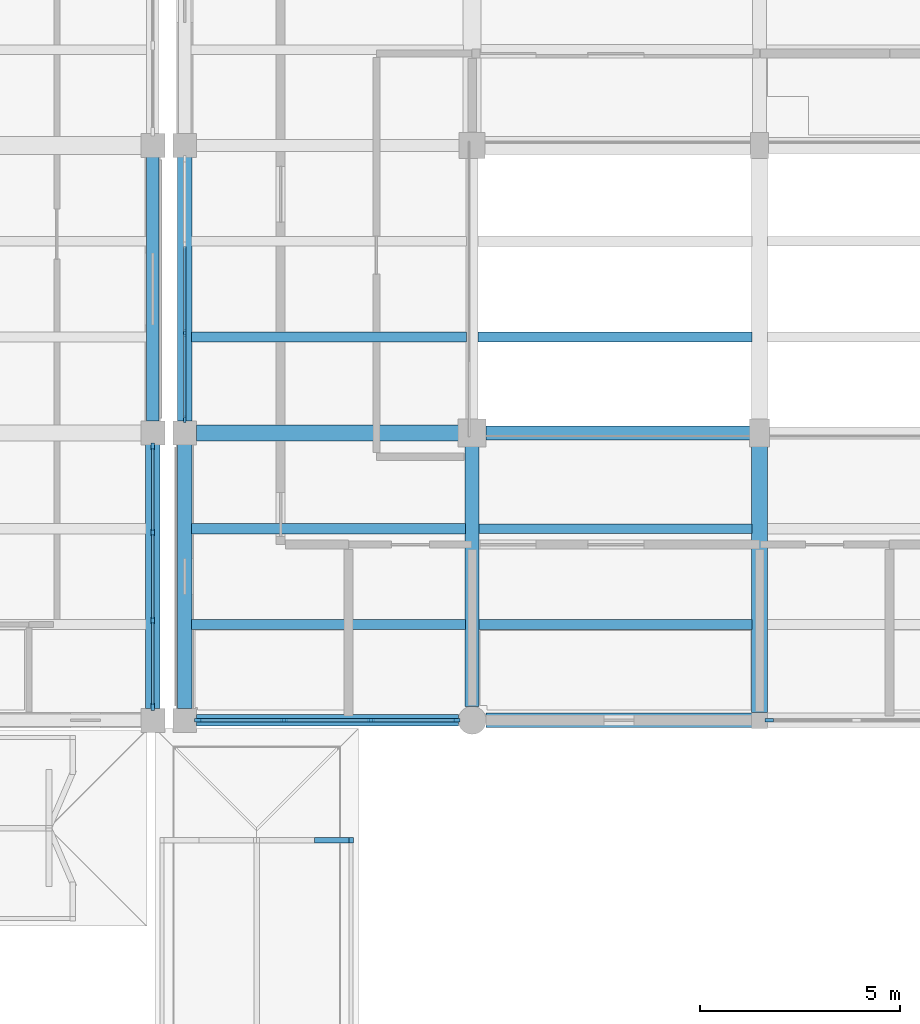
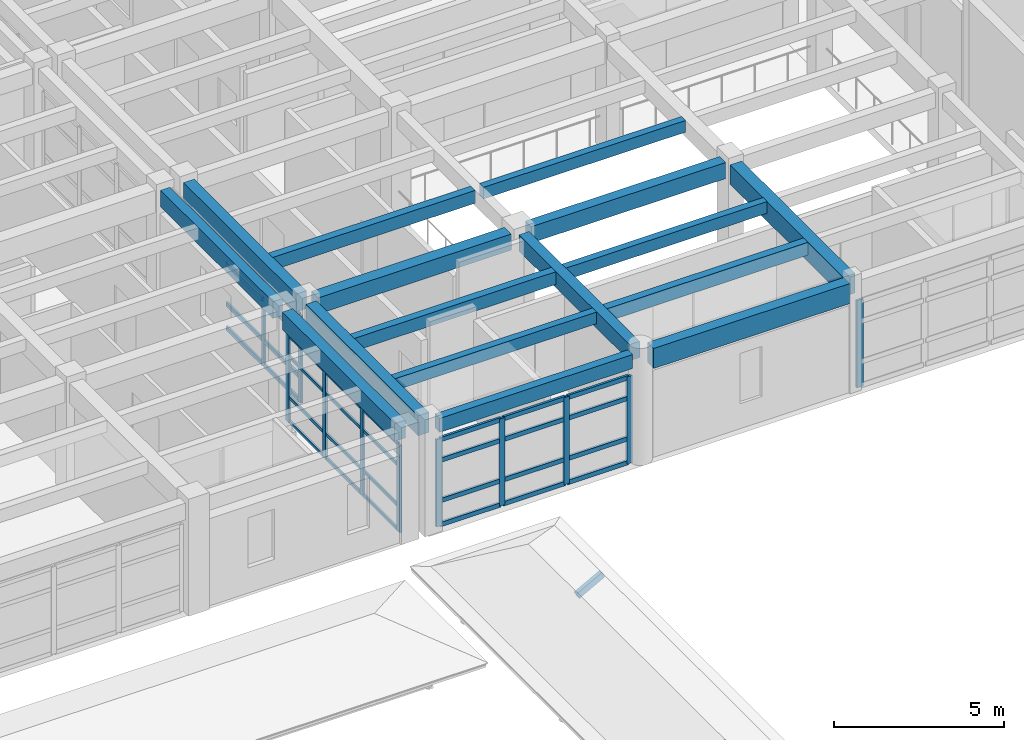
# One storey, part 27 of 110: 44 members, 16 beams, 4 elements without a shape of their own.
"""IFC4 building model written with IfcOpenShell, lengths in metres."""

from ifc_helpers import new_model, si_unit, direction, frame, origin, origin_2d, place, context, subcontext, project, spatial, rectangle, extrude, material, material_profile, profile_set, type_object, element, aggregate, save


model = new_model("IFC4")

# Units and contexts
model_context = context("Model", 3, precision=1e-05, world=origin(), true_north=direction((0.0, 1.0)))
body_context = subcontext(model_context, "Body", "Model", "MODEL_VIEW")
ifc_project = project(units=[si_unit("LENGTHUNIT", "METRE"), si_unit("AREAUNIT", "SQUARE_METRE"), si_unit("VOLUMEUNIT", "CUBIC_METRE"), si_unit("PLANEANGLEUNIT", "RADIAN"), si_unit("MASSUNIT", "GRAM", prefix="KILO")], contexts=[model_context])

# Site, building, storey
site_placement = place(None, origin())
site = spatial("IfcSite", under=ifc_project, at=site_placement, CompositionType="ELEMENT")
building_placement = place(site_placement, origin())
building = spatial("IfcBuilding", under=site, at=building_placement, Name="Steenspoor Specialist Clinic", CompositionType="ELEMENT")
storey_placement = place(building_placement, frame((0.0, 0.0, 4.800048828125)))
storey = spatial("IfcBuildingStorey", under=building, at=storey_placement, Name="L01", CompositionType="ELEMENT", Elevation=4.800048828125)

# Beams
ifc_material_1 = material(Name="Concrete C35/45", Category="concrete")
ifc_material_profile_1 = material_profile(ifc_material_1, rectangle(XDim=0.35009765625, YDim=0.580078125, at=origin_2d()), Name="RC-BM-350X580")
ifc_profile_set_1 = profile_set([ifc_material_profile_1], Name="Concrete C35/45")
beam_type_1 = type_object("IfcBeamType", Name="BM-RC-350X580", PredefinedType="BEAM", material=ifc_profile_set_1)
beam_1_placement = place(storey_placement, frame((125.544921875, 72.35009765625, 3.659912109375), z_axis=(1.0, 0.0, 0.0), x_axis=(0.0, 1.0, 0.0)))
element("IfcBeam", 1, at=beam_1_placement, inside=storey, type_object=beam_type_1, Name="BM-V6-L01-X1485", PredefinedType="BEAM", context=body_context, shape_type="SweptSolid", body=[
    extrude(rectangle(XDim=0.35009765625, YDim=0.580078125, at=origin_2d()), origin(), (0.0, 0.0, 1.0), 6.610107421875),
])
beam_2_placement = place(storey_placement, frame((125.199951171875, 65.4951171875, 3.659912109375), z_axis=(0.0, 1.0, 0.0), x_axis=(-1.0, 0.0, 0.0)))
element("IfcBeam", 2, at=beam_2_placement, inside=storey, type_object=beam_type_1, Name="BM-V6-L01-Y1516", PredefinedType="BEAM", context=body_context, shape_type="SweptSolid", body=[
    extrude(rectangle(XDim=0.35009765625, YDim=0.580078125, at=origin_2d()), origin(), (0.0, 0.0, 1.0), 6.509765625),
])
ifc_material_profile_2 = material_profile(ifc_material_1, rectangle(XDim=0.39990234375, YDim=0.580078125, at=origin_2d()), Name="RC-BM-400X580")
ifc_profile_set_2 = profile_set([ifc_material_profile_2], Name="Concrete C35/45")
beam_type_2 = type_object("IfcBeamType", Name="BM-RC-400X580", PredefinedType="BEAM", material=ifc_profile_set_2)
beam_3_placement = place(storey_placement, frame((118.294921875, 72.35009765625, 3.659912109375), z_axis=(1.0, 0.0, 0.0), x_axis=(0.0, 1.0, 0.0)))
element("IfcBeam", 3, at=beam_3_placement, inside=storey, type_object=beam_type_2, Name="BM-V6-L01-X1484", PredefinedType="BEAM", context=body_context, shape_type="SweptSolid", body=[
    extrude(rectangle(XDim=0.39990234375, YDim=0.580078125, at=origin_2d()), origin(), (0.0, 0.0, 1.0), 6.56005859375),
])
ifc_material_profile_3 = material_profile(ifc_material_1, rectangle(XDim=0.39990234375, YDim=0.699951171875, at=origin_2d()), Name="RC-BM-400X700")
ifc_profile_set_3 = profile_set([ifc_material_profile_3], Name="Concrete C35/45")
beam_type_3 = type_object("IfcBeamType", Name="BM-RC-400X700", PredefinedType="BEAM", material=ifc_profile_set_3)
beam_4_placement = place(storey_placement, frame((132.39990234375, 65.344970703125, 3.599853515625), z_axis=(0.0, 1.0, 0.0), x_axis=(-1.0, 0.0, 0.0)))
element("IfcBeam", 4, at=beam_4_placement, inside=storey, type_object=beam_type_3, Name="BM-V6-L01-Y1522", PredefinedType="BEAM", context=body_context, shape_type="SweptSolid", body=[
    extrude(rectangle(XDim=0.39990234375, YDim=0.699951171875, at=origin_2d()), origin(), (0.0, 0.0, 1.0), 6.659912109375),
])

# Curtain wall, members
ifc_material_2 = material(Name="Thermally broken aluminium and low-emissivity glass", Category="aluminium")
curtain_wall_type_1 = type_object("IfcCurtainWallType", Name="CW-L00-240X415", PredefinedType="USERDEFINED", material=ifc_material_2)
curtain_wall_1_placement = place(storey_placement, origin())
curtain_wall_1 = element("IfcCurtainWall", 5, at=curtain_wall_1_placement, inside=storey, type_object=curtain_wall_type_1, Name="Unitised Curtain Wall CW-V6-L01-176", ObjectType="UNITISED GLAZING", PredefinedType="USERDEFINED")
ifc_material_3 = material(Name="Thermally broken aluminium 6063-T6", Category="aluminium")
ifc_material_profile_4 = material_profile(ifc_material_3, rectangle(XDim=0.070068359375, YDim=0.1650390625, at=origin_2d()), Name="CWM-70X165")
ifc_profile_set_4 = profile_set([ifc_material_profile_4], Name="Thermally broken aluminium 6063-T6")
member_type_1 = type_object("IfcMemberType", Name="CW-MULL-70X165", PredefinedType="MULLION", material=ifc_profile_set_4)
member_1_placement = place(storey_placement, frame((118.0, 72.68505859375, 0.0), z_axis=(0.0, 0.0, 1.0), x_axis=(-1.0, 0.0, 0.0)))
member_1 = element("IfcMember", 6, at=member_1_placement, type_object=member_type_1, Name="CW-08 mullion 1", PredefinedType="MULLION", context=body_context, shape_type="SweptSolid", body=[
    extrude(rectangle(XDim=0.070068359375, YDim=0.1650390625, at=origin_2d()), origin(), (0.0, 0.0, 1.0), 3.1298828125),
])
member_2_placement = place(storey_placement, frame((118.0, 74.85009765625, 0.0), z_axis=(0.0, 0.0, 1.0), x_axis=(-1.0, 0.0, 0.0)))
member_2 = element("IfcMember", 7, at=member_2_placement, type_object=member_type_1, Name="CW-08 mullion 2", PredefinedType="MULLION", context=body_context, shape_type="SweptSolid", body=[
    extrude(rectangle(XDim=0.070068359375, YDim=0.1650390625, at=origin_2d()), origin(), (0.0, 0.0, 1.0), 3.1298828125),
])

curtain_wall_type_2 = type_object("IfcCurtainWallType", Name="CW-HALL-660X820", PredefinedType="USERDEFINED", material=ifc_material_2)
curtain_wall_2_placement = place(storey_placement, origin())
curtain_wall_2 = element("IfcCurtainWall", 8, at=curtain_wall_2_placement, inside=storey, type_object=curtain_wall_type_2, Name="Unitised Curtain Wall CW-V4-L01-073", ObjectType="UNITISED GLAZING", PredefinedType="USERDEFINED")
ifc_material_profile_5 = material_profile(ifc_material_3, rectangle(XDim=0.080078125, YDim=0.179931640625, at=origin_2d()), Name="CWM-80X180")
ifc_profile_set_5 = profile_set([ifc_material_profile_5], Name="Thermally broken aluminium 6063-T6")
member_type_2 = type_object("IfcMemberType", Name="CW-MULL-80X180", PredefinedType="MULLION", material=ifc_profile_set_5)
member_3_placement = place(storey_placement, frame((117.199951171875, 72.010009765625, 0.0), z_axis=(0.0, 0.0, 1.0), x_axis=(1.0, 0.0, 0.0)))
member_3 = element("IfcMember", 9, at=member_3_placement, type_object=member_type_2, Name="CW-01 mullion 1", PredefinedType="MULLION", context=body_context, shape_type="SweptSolid", body=[
    extrude(rectangle(XDim=0.080078125, YDim=0.179931640625, at=origin_2d()), origin(), (0.0, 0.0, 1.0), 3.1298828125),
])
member_4_placement = place(storey_placement, frame((117.199951171875, 69.85009765625, 0.0), z_axis=(0.0, 0.0, 1.0), x_axis=(1.0, 0.0, 0.0)))
member_4 = element("IfcMember", 10, at=member_4_placement, type_object=member_type_2, Name="CW-01 mullion 2", PredefinedType="MULLION", context=body_context, shape_type="SweptSolid", body=[
    extrude(rectangle(XDim=0.080078125, YDim=0.179931640625, at=origin_2d()), origin(), (0.0, 0.0, 1.0), 3.1298828125),
])
member_5_placement = place(storey_placement, frame((117.199951171875, 67.64990234375, 0.0), z_axis=(0.0, 0.0, 1.0), x_axis=(1.0, 0.0, 0.0)))
member_5 = element("IfcMember", 11, at=member_5_placement, type_object=member_type_2, Name="CW-01 mullion 3", PredefinedType="MULLION", context=body_context, shape_type="SweptSolid", body=[
    extrude(rectangle(XDim=0.080078125, YDim=0.179931640625, at=origin_2d()), origin(), (0.0, 0.0, 1.0), 3.1298828125),
])
member_6_placement = place(storey_placement, frame((117.199951171875, 65.489990234375, 0.0), z_axis=(0.0, 0.0, 1.0), x_axis=(1.0, 0.0, 0.0)))
member_6 = element("IfcMember", 12, at=member_6_placement, type_object=member_type_2, Name="CW-01 mullion 4", PredefinedType="MULLION", context=body_context, shape_type="SweptSolid", body=[
    extrude(rectangle(XDim=0.080078125, YDim=0.179931640625, at=origin_2d()), origin(), (0.0, 0.0, 1.0), 3.1298828125),
])

curtain_wall_type_3 = type_object("IfcCurtainWallType", Name="CW-L00-360X415", PredefinedType="USERDEFINED", material=ifc_material_2)
curtain_wall_3_placement = place(storey_placement, origin())
curtain_wall_3 = element("IfcCurtainWall", 13, at=curtain_wall_3_placement, inside=storey, type_object=curtain_wall_type_3, Name="Unitised Curtain Wall CW-V6-L01-175", ObjectType="UNITISED GLAZING", PredefinedType="USERDEFINED")
member_7_placement = place(storey_placement, frame((124.81005859375, 65.14990234375, 0.0), z_axis=(0.0, 0.0, 1.0), x_axis=(0.0, -1.0, 0.0)))
member_7 = element("IfcMember", 14, at=member_7_placement, type_object=member_type_2, Name="CW-07 mullion 1", PredefinedType="MULLION", context=body_context, shape_type="SweptSolid", body=[
    extrude(rectangle(XDim=0.080078125, YDim=0.179931640625, at=origin_2d()), origin(), (0.0, 0.0, 1.0), 3.1298828125),
])
member_8_placement = place(storey_placement, frame((122.666748046875, 65.14990234375, 0.0), z_axis=(0.0, 0.0, 1.0), x_axis=(0.0, -1.0, 0.0)))
member_8 = element("IfcMember", 15, at=member_8_placement, type_object=member_type_2, Name="CW-07 mullion 2", PredefinedType="MULLION", context=body_context, shape_type="SweptSolid", body=[
    extrude(rectangle(XDim=0.080078125, YDim=0.179931640625, at=origin_2d()), origin(), (0.0, 0.0, 1.0), 3.1298828125),
])
member_9_placement = place(storey_placement, frame((120.4833984375, 65.14990234375, 0.0), z_axis=(0.0, 0.0, 1.0), x_axis=(0.0, -1.0, 0.0)))
member_9 = element("IfcMember", 16, at=member_9_placement, type_object=member_type_2, Name="CW-07 mullion 3", PredefinedType="MULLION", context=body_context, shape_type="SweptSolid", body=[
    extrude(rectangle(XDim=0.080078125, YDim=0.179931640625, at=origin_2d()), origin(), (0.0, 0.0, 1.0), 3.1298828125),
])
member_10_placement = place(storey_placement, frame((118.340087890625, 65.14990234375, 0.0), z_axis=(0.0, 0.0, 1.0), x_axis=(0.0, -1.0, 0.0)))
member_10 = element("IfcMember", 17, at=member_10_placement, type_object=member_type_2, Name="CW-07 mullion 4", PredefinedType="MULLION", context=body_context, shape_type="SweptSolid", body=[
    extrude(rectangle(XDim=0.080078125, YDim=0.179931640625, at=origin_2d()), origin(), (0.0, 0.0, 1.0), 3.1298828125),
])

# Curtain wall, member
curtain_wall_type_4 = type_object("IfcCurtainWallType", Name="CW-L00-480X415", PredefinedType="USERDEFINED", material=ifc_material_2)
curtain_wall_4_placement = place(storey_placement, origin())
curtain_wall_4 = element("IfcCurtainWall", 18, at=curtain_wall_4_placement, inside=storey, type_object=curtain_wall_type_4, Name="Unitised Curtain Wall CW-V6-L01-174", ObjectType="UNITISED GLAZING", PredefinedType="USERDEFINED")
ifc_material_profile_6 = material_profile(ifc_material_3, rectangle(XDim=0.080078125, YDim=0.219970703125, at=origin_2d()), Name="CWM-80X220")
ifc_profile_set_6 = profile_set([ifc_material_profile_6], Name="Thermally broken aluminium 6063-T6")
member_type_3 = type_object("IfcMemberType", Name="CW-MULL-80X220", PredefinedType="MULLION", material=ifc_profile_set_6)
member_11_placement = place(storey_placement, frame((132.639892578125, 65.14990234375, 0.0), z_axis=(0.0, 0.0, 1.0), x_axis=(0.0, -1.0, 0.0)))
member_11 = element("IfcMember", 19, at=member_11_placement, type_object=member_type_3, Name="CW-06 mullion 4", PredefinedType="MULLION", context=body_context, shape_type="SweptSolid", body=[
    extrude(rectangle(XDim=0.080078125, YDim=0.219970703125, at=origin_2d()), origin(), (0.0, 0.0, 1.0), 3.1298828125),
])
aggregate(curtain_wall_4, [member_11])

# Member
ifc_material_profile_7 = material_profile(ifc_material_3, rectangle(XDim=0.06005859375, YDim=0.114990234375, at=origin_2d()), Name="CWT-60X115")
ifc_profile_set_7 = profile_set([ifc_material_profile_7], Name="Thermally broken aluminium 6063-T6")
member_type_4 = type_object("IfcMemberType", Name="CW-TRAN-60X115", PredefinedType="USERDEFINED", material=ifc_profile_set_7)
member_12_placement = place(storey_placement, frame((117.199951171875, 71.969970703125, 0.030029296875), z_axis=(0.0, -1.0, 0.0), x_axis=(1.0, 0.0, 0.0)))
member_12 = element("IfcMember", 20, at=member_12_placement, type_object=member_type_4, Name="CW-01 transom 1.1", ObjectType="TRANSOM", PredefinedType="USERDEFINED", context=body_context, shape_type="SweptSolid", body=[
    extrude(rectangle(XDim=0.06005859375, YDim=0.114990234375, at=origin_2d()), origin(), (0.0, 0.0, 1.0), 2.080078125),
])

member_13_placement = place(storey_placement, frame((117.199951171875, 71.969970703125, 0.89990234375), z_axis=(0.0, -1.0, 0.0), x_axis=(1.0, 0.0, 0.0)))
member_13 = element("IfcMember", 21, at=member_13_placement, type_object=member_type_4, Name="CW-01 transom 1.2", ObjectType="TRANSOM", PredefinedType="USERDEFINED", context=body_context, shape_type="SweptSolid", body=[
    extrude(rectangle(XDim=0.06005859375, YDim=0.114990234375, at=origin_2d()), origin(), (0.0, 0.0, 1.0), 2.080078125),
])

member_14_placement = place(storey_placement, frame((117.199951171875, 71.969970703125, 2.349853515625), z_axis=(0.0, -1.0, 0.0), x_axis=(1.0, 0.0, 0.0)))
member_14 = element("IfcMember", 22, at=member_14_placement, type_object=member_type_4, Name="CW-01 transom 1.3", ObjectType="TRANSOM", PredefinedType="USERDEFINED", context=body_context, shape_type="SweptSolid", body=[
    extrude(rectangle(XDim=0.06005859375, YDim=0.114990234375, at=origin_2d()), origin(), (0.0, 0.0, 1.0), 2.080078125),
])

member_15_placement = place(storey_placement, frame((117.199951171875, 71.969970703125, 3.099853515625), z_axis=(0.0, -1.0, 0.0), x_axis=(1.0, 0.0, 0.0)))
member_15 = element("IfcMember", 23, at=member_15_placement, type_object=member_type_4, Name="CW-01 transom 1.4", ObjectType="TRANSOM", PredefinedType="USERDEFINED", context=body_context, shape_type="SweptSolid", body=[
    extrude(rectangle(XDim=0.06005859375, YDim=0.114990234375, at=origin_2d()), origin(), (0.0, 0.0, 1.0), 2.080078125),
])

member_16_placement = place(storey_placement, frame((117.199951171875, 69.81005859375, 0.030029296875), z_axis=(0.0, -1.0, 0.0), x_axis=(1.0, 0.0, 0.0)))
member_16 = element("IfcMember", 24, at=member_16_placement, type_object=member_type_4, Name="CW-01 transom 2.1", ObjectType="TRANSOM", PredefinedType="USERDEFINED", context=body_context, shape_type="SweptSolid", body=[
    extrude(rectangle(XDim=0.06005859375, YDim=0.114990234375, at=origin_2d()), origin(), (0.0, 0.0, 1.0), 2.1201171875),
])

member_17_placement = place(storey_placement, frame((117.199951171875, 69.81005859375, 0.89990234375), z_axis=(0.0, -1.0, 0.0), x_axis=(1.0, 0.0, 0.0)))
member_17 = element("IfcMember", 25, at=member_17_placement, type_object=member_type_4, Name="CW-01 transom 2.2", ObjectType="TRANSOM", PredefinedType="USERDEFINED", context=body_context, shape_type="SweptSolid", body=[
    extrude(rectangle(XDim=0.06005859375, YDim=0.114990234375, at=origin_2d()), origin(), (0.0, 0.0, 1.0), 2.1201171875),
])

member_18_placement = place(storey_placement, frame((117.199951171875, 69.81005859375, 2.349853515625), z_axis=(0.0, -1.0, 0.0), x_axis=(1.0, 0.0, 0.0)))
member_18 = element("IfcMember", 26, at=member_18_placement, type_object=member_type_4, Name="CW-01 transom 2.3", ObjectType="TRANSOM", PredefinedType="USERDEFINED", context=body_context, shape_type="SweptSolid", body=[
    extrude(rectangle(XDim=0.06005859375, YDim=0.114990234375, at=origin_2d()), origin(), (0.0, 0.0, 1.0), 2.1201171875),
])

member_19_placement = place(storey_placement, frame((117.199951171875, 69.81005859375, 3.099853515625), z_axis=(0.0, -1.0, 0.0), x_axis=(1.0, 0.0, 0.0)))
member_19 = element("IfcMember", 27, at=member_19_placement, type_object=member_type_4, Name="CW-01 transom 2.4", ObjectType="TRANSOM", PredefinedType="USERDEFINED", context=body_context, shape_type="SweptSolid", body=[
    extrude(rectangle(XDim=0.06005859375, YDim=0.114990234375, at=origin_2d()), origin(), (0.0, 0.0, 1.0), 2.1201171875),
])

member_20_placement = place(storey_placement, frame((117.199951171875, 67.610107421875, 0.030029296875), z_axis=(0.0, -1.0, 0.0), x_axis=(1.0, 0.0, 0.0)))
member_20 = element("IfcMember", 28, at=member_20_placement, type_object=member_type_4, Name="CW-01 transom 3.1", ObjectType="TRANSOM", PredefinedType="USERDEFINED", context=body_context, shape_type="SweptSolid", body=[
    extrude(rectangle(XDim=0.06005859375, YDim=0.114990234375, at=origin_2d()), origin(), (0.0, 0.0, 1.0), 2.080078125),
])

member_21_placement = place(storey_placement, frame((117.199951171875, 67.610107421875, 0.89990234375), z_axis=(0.0, -1.0, 0.0), x_axis=(1.0, 0.0, 0.0)))
member_21 = element("IfcMember", 29, at=member_21_placement, type_object=member_type_4, Name="CW-01 transom 3.2", ObjectType="TRANSOM", PredefinedType="USERDEFINED", context=body_context, shape_type="SweptSolid", body=[
    extrude(rectangle(XDim=0.06005859375, YDim=0.114990234375, at=origin_2d()), origin(), (0.0, 0.0, 1.0), 2.080078125),
])

member_22_placement = place(storey_placement, frame((117.199951171875, 67.610107421875, 2.349853515625), z_axis=(0.0, -1.0, 0.0), x_axis=(1.0, 0.0, 0.0)))
member_22 = element("IfcMember", 30, at=member_22_placement, type_object=member_type_4, Name="CW-01 transom 3.3", ObjectType="TRANSOM", PredefinedType="USERDEFINED", context=body_context, shape_type="SweptSolid", body=[
    extrude(rectangle(XDim=0.06005859375, YDim=0.114990234375, at=origin_2d()), origin(), (0.0, 0.0, 1.0), 2.080078125),
])

member_23_placement = place(storey_placement, frame((117.199951171875, 67.610107421875, 3.099853515625), z_axis=(0.0, -1.0, 0.0), x_axis=(1.0, 0.0, 0.0)))
member_23 = element("IfcMember", 31, at=member_23_placement, type_object=member_type_4, Name="CW-01 transom 3.4", ObjectType="TRANSOM", PredefinedType="USERDEFINED", context=body_context, shape_type="SweptSolid", body=[
    extrude(rectangle(XDim=0.06005859375, YDim=0.114990234375, at=origin_2d()), origin(), (0.0, 0.0, 1.0), 2.080078125),
])

aggregate(curtain_wall_2, [member_3, member_4, member_5, member_6, member_12, member_13, member_14, member_15, member_16, member_17, member_18, member_19, member_20, member_21, member_22, member_23])

ifc_material_profile_8 = material_profile(ifc_material_3, rectangle(XDim=0.070068359375, YDim=0.14501953125, at=origin_2d()), Name="CWT-70X145")
ifc_profile_set_8 = profile_set([ifc_material_profile_8], Name="Thermally broken aluminium 6063-T6")
member_type_5 = type_object("IfcMemberType", Name="CW-TRAN-70X145", PredefinedType="USERDEFINED", material=ifc_profile_set_8)
member_24_placement = place(storey_placement, frame((118.0, 72.719970703125, 0.034912109375), z_axis=(0.0, 1.0, 0.0), x_axis=(-1.0, 0.0, 0.0)))
member_24 = element("IfcMember", 32, at=member_24_placement, type_object=member_type_5, Name="CW-08 transom 1.1", ObjectType="TRANSOM", PredefinedType="USERDEFINED", context=body_context, shape_type="SweptSolid", body=[
    extrude(rectangle(XDim=0.070068359375, YDim=0.14501953125, at=origin_2d()), origin(), (0.0, 0.0, 1.0), 2.094970703125),
])

member_25_placement = place(storey_placement, frame((118.0, 72.719970703125, 0.89990234375), z_axis=(0.0, 1.0, 0.0), x_axis=(-1.0, 0.0, 0.0)))
member_25 = element("IfcMember", 33, at=member_25_placement, type_object=member_type_5, Name="CW-08 transom 1.2", ObjectType="TRANSOM", PredefinedType="USERDEFINED", context=body_context, shape_type="SweptSolid", body=[
    extrude(rectangle(XDim=0.070068359375, YDim=0.14501953125, at=origin_2d()), origin(), (0.0, 0.0, 1.0), 2.094970703125),
])

member_26_placement = place(storey_placement, frame((118.0, 72.719970703125, 2.349853515625), z_axis=(0.0, 1.0, 0.0), x_axis=(-1.0, 0.0, 0.0)))
member_26 = element("IfcMember", 34, at=member_26_placement, type_object=member_type_5, Name="CW-08 transom 1.3", ObjectType="TRANSOM", PredefinedType="USERDEFINED", context=body_context, shape_type="SweptSolid", body=[
    extrude(rectangle(XDim=0.070068359375, YDim=0.14501953125, at=origin_2d()), origin(), (0.0, 0.0, 1.0), 2.094970703125),
])

member_27_placement = place(storey_placement, frame((118.0, 72.719970703125, 3.094970703125), z_axis=(0.0, 1.0, 0.0), x_axis=(-1.0, 0.0, 0.0)))
member_27 = element("IfcMember", 35, at=member_27_placement, type_object=member_type_5, Name="CW-08 transom 1.4", ObjectType="TRANSOM", PredefinedType="USERDEFINED", context=body_context, shape_type="SweptSolid", body=[
    extrude(rectangle(XDim=0.070068359375, YDim=0.14501953125, at=origin_2d()), origin(), (0.0, 0.0, 1.0), 2.094970703125),
])

member_28_placement = place(storey_placement, frame((118.0, 74.885009765625, 0.034912109375), z_axis=(0.0, 1.0, 0.0), x_axis=(-1.0, 0.0, 0.0)))
member_28 = element("IfcMember", 36, at=member_28_placement, type_object=member_type_5, Name="CW-08 transom 2.1", ObjectType="TRANSOM", PredefinedType="USERDEFINED", context=body_context, shape_type="SweptSolid", body=[
    extrude(rectangle(XDim=0.070068359375, YDim=0.14501953125, at=origin_2d()), origin(), (0.0, 0.0, 1.0), 2.1298828125),
])

member_29_placement = place(storey_placement, frame((118.0, 74.885009765625, 0.89990234375), z_axis=(0.0, 1.0, 0.0), x_axis=(-1.0, 0.0, 0.0)))
member_29 = element("IfcMember", 37, at=member_29_placement, type_object=member_type_5, Name="CW-08 transom 2.2", ObjectType="TRANSOM", PredefinedType="USERDEFINED", context=body_context, shape_type="SweptSolid", body=[
    extrude(rectangle(XDim=0.070068359375, YDim=0.14501953125, at=origin_2d()), origin(), (0.0, 0.0, 1.0), 2.1298828125),
])

member_30_placement = place(storey_placement, frame((118.0, 74.885009765625, 2.349853515625), z_axis=(0.0, 1.0, 0.0), x_axis=(-1.0, 0.0, 0.0)))
member_30 = element("IfcMember", 38, at=member_30_placement, type_object=member_type_5, Name="CW-08 transom 2.3", ObjectType="TRANSOM", PredefinedType="USERDEFINED", context=body_context, shape_type="SweptSolid", body=[
    extrude(rectangle(XDim=0.070068359375, YDim=0.14501953125, at=origin_2d()), origin(), (0.0, 0.0, 1.0), 2.1298828125),
])

member_31_placement = place(storey_placement, frame((118.0, 74.885009765625, 3.094970703125), z_axis=(0.0, 1.0, 0.0), x_axis=(-1.0, 0.0, 0.0)))
member_31 = element("IfcMember", 39, at=member_31_placement, type_object=member_type_5, Name="CW-08 transom 2.4", ObjectType="TRANSOM", PredefinedType="USERDEFINED", context=body_context, shape_type="SweptSolid", body=[
    extrude(rectangle(XDim=0.070068359375, YDim=0.14501953125, at=origin_2d()), origin(), (0.0, 0.0, 1.0), 2.1298828125),
])

aggregate(curtain_wall_1, [member_1, member_2, member_24, member_25, member_26, member_27, member_28, member_29, member_30, member_31])

ifc_material_profile_9 = material_profile(ifc_material_3, rectangle(XDim=0.080078125, YDim=0.159912109375, at=origin_2d()), Name="CWT-80X160")
ifc_profile_set_9 = profile_set([ifc_material_profile_9], Name="Thermally broken aluminium 6063-T6")
member_type_6 = type_object("IfcMemberType", Name="CW-TRAN-80X160", PredefinedType="USERDEFINED", material=ifc_profile_set_9)
member_32_placement = place(storey_placement, frame((124.77001953125, 65.14990234375, 0.0400390625), z_axis=(-1.0, 0.0, 0.0), x_axis=(0.0, -1.0, 0.0)))
member_32 = element("IfcMember", 40, at=member_32_placement, type_object=member_type_6, Name="CW-07 transom 1.1", ObjectType="TRANSOM", PredefinedType="USERDEFINED", context=body_context, shape_type="SweptSolid", body=[
    extrude(rectangle(XDim=0.080078125, YDim=0.159912109375, at=origin_2d()), origin(), (0.0, 0.0, 1.0), 2.063232421875),
])

member_33_placement = place(storey_placement, frame((124.77001953125, 65.14990234375, 0.89990234375), z_axis=(-1.0, 0.0, 0.0), x_axis=(0.0, -1.0, 0.0)))
member_33 = element("IfcMember", 41, at=member_33_placement, type_object=member_type_6, Name="CW-07 transom 1.2", ObjectType="TRANSOM", PredefinedType="USERDEFINED", context=body_context, shape_type="SweptSolid", body=[
    extrude(rectangle(XDim=0.080078125, YDim=0.159912109375, at=origin_2d()), origin(), (0.0, 0.0, 1.0), 2.063232421875),
])

member_34_placement = place(storey_placement, frame((124.77001953125, 65.14990234375, 2.349853515625), z_axis=(-1.0, 0.0, 0.0), x_axis=(0.0, -1.0, 0.0)))
member_34 = element("IfcMember", 42, at=member_34_placement, type_object=member_type_6, Name="CW-07 transom 1.3", ObjectType="TRANSOM", PredefinedType="USERDEFINED", context=body_context, shape_type="SweptSolid", body=[
    extrude(rectangle(XDim=0.080078125, YDim=0.159912109375, at=origin_2d()), origin(), (0.0, 0.0, 1.0), 2.063232421875),
])

member_35_placement = place(storey_placement, frame((124.77001953125, 65.14990234375, 3.08984375), z_axis=(-1.0, 0.0, 0.0), x_axis=(0.0, -1.0, 0.0)))
member_35 = element("IfcMember", 43, at=member_35_placement, type_object=member_type_6, Name="CW-07 transom 1.4", ObjectType="TRANSOM", PredefinedType="USERDEFINED", context=body_context, shape_type="SweptSolid", body=[
    extrude(rectangle(XDim=0.080078125, YDim=0.159912109375, at=origin_2d()), origin(), (0.0, 0.0, 1.0), 2.063232421875),
])

member_36_placement = place(storey_placement, frame((122.626708984375, 65.14990234375, 0.0400390625), z_axis=(-1.0, 0.0, 0.0), x_axis=(0.0, -1.0, 0.0)))
member_36 = element("IfcMember", 44, at=member_36_placement, type_object=member_type_6, Name="CW-07 transom 2.1", ObjectType="TRANSOM", PredefinedType="USERDEFINED", context=body_context, shape_type="SweptSolid", body=[
    extrude(rectangle(XDim=0.080078125, YDim=0.159912109375, at=origin_2d()), origin(), (0.0, 0.0, 1.0), 2.103271484375),
])

member_37_placement = place(storey_placement, frame((122.626708984375, 65.14990234375, 0.89990234375), z_axis=(-1.0, 0.0, 0.0), x_axis=(0.0, -1.0, 0.0)))
member_37 = element("IfcMember", 45, at=member_37_placement, type_object=member_type_6, Name="CW-07 transom 2.2", ObjectType="TRANSOM", PredefinedType="USERDEFINED", context=body_context, shape_type="SweptSolid", body=[
    extrude(rectangle(XDim=0.080078125, YDim=0.159912109375, at=origin_2d()), origin(), (0.0, 0.0, 1.0), 2.103271484375),
])

member_38_placement = place(storey_placement, frame((122.626708984375, 65.14990234375, 2.349853515625), z_axis=(-1.0, 0.0, 0.0), x_axis=(0.0, -1.0, 0.0)))
member_38 = element("IfcMember", 46, at=member_38_placement, type_object=member_type_6, Name="CW-07 transom 2.3", ObjectType="TRANSOM", PredefinedType="USERDEFINED", context=body_context, shape_type="SweptSolid", body=[
    extrude(rectangle(XDim=0.080078125, YDim=0.159912109375, at=origin_2d()), origin(), (0.0, 0.0, 1.0), 2.103271484375),
])

member_39_placement = place(storey_placement, frame((122.626708984375, 65.14990234375, 3.08984375), z_axis=(-1.0, 0.0, 0.0), x_axis=(0.0, -1.0, 0.0)))
member_39 = element("IfcMember", 47, at=member_39_placement, type_object=member_type_6, Name="CW-07 transom 2.4", ObjectType="TRANSOM", PredefinedType="USERDEFINED", context=body_context, shape_type="SweptSolid", body=[
    extrude(rectangle(XDim=0.080078125, YDim=0.159912109375, at=origin_2d()), origin(), (0.0, 0.0, 1.0), 2.103271484375),
])

member_40_placement = place(storey_placement, frame((120.443359375, 65.14990234375, 0.0400390625), z_axis=(-1.0, 0.0, 0.0), x_axis=(0.0, -1.0, 0.0)))
member_40 = element("IfcMember", 48, at=member_40_placement, type_object=member_type_6, Name="CW-07 transom 3.1", ObjectType="TRANSOM", PredefinedType="USERDEFINED", context=body_context, shape_type="SweptSolid", body=[
    extrude(rectangle(XDim=0.080078125, YDim=0.159912109375, at=origin_2d()), origin(), (0.0, 0.0, 1.0), 2.0634765625),
])

member_41_placement = place(storey_placement, frame((120.443359375, 65.14990234375, 0.89990234375), z_axis=(-1.0, 0.0, 0.0), x_axis=(0.0, -1.0, 0.0)))
member_41 = element("IfcMember", 49, at=member_41_placement, type_object=member_type_6, Name="CW-07 transom 3.2", ObjectType="TRANSOM", PredefinedType="USERDEFINED", context=body_context, shape_type="SweptSolid", body=[
    extrude(rectangle(XDim=0.080078125, YDim=0.159912109375, at=origin_2d()), origin(), (0.0, 0.0, 1.0), 2.0634765625),
])

member_42_placement = place(storey_placement, frame((120.443359375, 65.14990234375, 2.349853515625), z_axis=(-1.0, 0.0, 0.0), x_axis=(0.0, -1.0, 0.0)))
member_42 = element("IfcMember", 50, at=member_42_placement, type_object=member_type_6, Name="CW-07 transom 3.3", ObjectType="TRANSOM", PredefinedType="USERDEFINED", context=body_context, shape_type="SweptSolid", body=[
    extrude(rectangle(XDim=0.080078125, YDim=0.159912109375, at=origin_2d()), origin(), (0.0, 0.0, 1.0), 2.0634765625),
])

member_43_placement = place(storey_placement, frame((120.443359375, 65.14990234375, 3.08984375), z_axis=(-1.0, 0.0, 0.0), x_axis=(0.0, -1.0, 0.0)))
member_43 = element("IfcMember", 51, at=member_43_placement, type_object=member_type_6, Name="CW-07 transom 3.4", ObjectType="TRANSOM", PredefinedType="USERDEFINED", context=body_context, shape_type="SweptSolid", body=[
    extrude(rectangle(XDim=0.080078125, YDim=0.159912109375, at=origin_2d()), origin(), (0.0, 0.0, 1.0), 2.0634765625),
])

aggregate(curtain_wall_3, [member_7, member_8, member_9, member_10, member_32, member_33, member_34, member_35, member_36, member_37, member_38, member_39, member_40, member_41, member_42, member_43])

# Beams
ifc_material_profile_10 = material_profile(ifc_material_1, rectangle(XDim=0.239990234375, YDim=0.419921875, at=origin_2d()), Name="RC-JT-240X420")
ifc_profile_set_10 = profile_set([ifc_material_profile_10], Name="Concrete C35/45")
beam_type_4 = type_object("IfcBeamType", Name="JT-RC-240X420", PredefinedType="JOIST", material=ifc_profile_set_10)
beam_5_placement = place(storey_placement, frame((118.175048828125, 67.550048828125, 3.739990234375), z_axis=(1.0, 0.0, 0.0), x_axis=(0.0, 1.0, 0.0)))
element("IfcBeam", 52, at=beam_5_placement, inside=storey, type_object=beam_type_4, Name="JT-V6-L01-1544", PredefinedType="JOIST", context=body_context, shape_type="SweptSolid", body=[
    extrude(rectangle(XDim=0.239990234375, YDim=0.419921875, at=origin_2d()), origin(), (0.0, 0.0, 1.0), 6.85498046875),
])
beam_6_placement = place(storey_placement, frame((125.3701171875, 69.949951171875, 3.739990234375), z_axis=(1.0, 0.0, 0.0), x_axis=(0.0, 1.0, 0.0)))
element("IfcBeam", 53, at=beam_6_placement, inside=storey, type_object=beam_type_4, Name="JT-V6-L01-1557", PredefinedType="JOIST", context=body_context, shape_type="SweptSolid", body=[
    extrude(rectangle(XDim=0.239990234375, YDim=0.419921875, at=origin_2d()), origin(), (0.0, 0.0, 1.0), 6.8349609375),
])
beam_7_placement = place(storey_placement, frame((125.344970703125, 74.75, 3.739990234375), z_axis=(1.0, 0.0, 0.0), x_axis=(0.0, 1.0, 0.0)))
element("IfcBeam", 54, at=beam_7_placement, inside=storey, type_object=beam_type_4, Name="JT-V6-L01-1558", PredefinedType="JOIST", context=body_context, shape_type="SweptSolid", body=[
    extrude(rectangle(XDim=0.239990234375, YDim=0.419921875, at=origin_2d()), origin(), (0.0, 0.0, 1.0), 6.860107421875),
])
ifc_material_profile_11 = material_profile(ifc_material_1, rectangle(XDim=0.260009765625, YDim=0.4599609375, at=origin_2d()), Name="RC-JT-260X460")
ifc_profile_set_11 = profile_set([ifc_material_profile_11], Name="Concrete C35/45")
beam_type_5 = type_object("IfcBeamType", Name="JT-RC-260X460", PredefinedType="JOIST", material=ifc_profile_set_11)
beam_8_placement = place(storey_placement, frame((118.175048828125, 69.949951171875, 3.719970703125), z_axis=(1.0, 0.0, 0.0), x_axis=(0.0, 1.0, 0.0)))
element("IfcBeam", 55, at=beam_8_placement, inside=storey, type_object=beam_type_5, Name="JT-V6-L01-1545", PredefinedType="JOIST", context=body_context, shape_type="SweptSolid", body=[
    extrude(rectangle(XDim=0.260009765625, YDim=0.4599609375, at=origin_2d()), origin(), (0.0, 0.0, 1.0), 6.85498046875),
])
beam_9_placement = place(storey_placement, frame((118.175048828125, 74.75, 3.719970703125), z_axis=(1.0, 0.0, 0.0), x_axis=(0.0, 1.0, 0.0)))
element("IfcBeam", 56, at=beam_9_placement, inside=storey, type_object=beam_type_5, Name="JT-V6-L01-1546", PredefinedType="JOIST", context=body_context, shape_type="SweptSolid", body=[
    extrude(rectangle(XDim=0.260009765625, YDim=0.4599609375, at=origin_2d()), origin(), (0.0, 0.0, 1.0), 6.8798828125),
])
beam_10_placement = place(storey_placement, frame((125.3701171875, 67.550048828125, 3.719970703125), z_axis=(1.0, 0.0, 0.0), x_axis=(0.0, 1.0, 0.0)))
element("IfcBeam", 57, at=beam_10_placement, inside=storey, type_object=beam_type_5, Name="JT-V6-L01-1556", PredefinedType="JOIST", context=body_context, shape_type="SweptSolid", body=[
    extrude(rectangle(XDim=0.260009765625, YDim=0.4599609375, at=origin_2d()), origin(), (0.0, 0.0, 1.0), 6.8349609375),
])

# Member
ifc_material_4 = material(Name="Glulam GL28h", Category="wood")
ifc_material_profile_12 = material_profile(ifc_material_4, rectangle(XDim=0.139892578125, YDim=0.219970703125, at=origin_2d()), Name="GL28H-140X220")
ifc_profile_set_12 = profile_set([ifc_material_profile_12], Name="Glulam GL28h")
member_type_7 = type_object("IfcMemberType", Name="MEM-RAFTER-GL220", PredefinedType="RAFTER", material=ifc_profile_set_12)
member_44_placement = place(storey_placement, frame((121.300048828125, 62.14990234375, -1.715087890625), z_axis=(0.878149761853, 0.0, 0.478385823115), x_axis=(0.0, 1.0, 0.0)))
element("IfcMember", 58, at=member_44_placement, inside=storey, type_object=member_type_7, Name="Walkway Eave Outrigger WK2 404", PredefinedType="RAFTER", context=body_context, shape_type="SweptSolid", body=[
    extrude(rectangle(XDim=0.139892578125, YDim=0.219970703125, at=origin_2d()), origin(), (0.0, 0.0, 1.0), 0.990478515625),
])

# Beams
ifc_material_profile_13 = material_profile(ifc_material_1, rectangle(XDim=0.280029296875, YDim=0.5, at=origin_2d()), Name="RC-SP-280X500")
ifc_profile_set_13 = profile_set([ifc_material_profile_13], Name="Concrete C35/45")
beam_type_6 = type_object("IfcBeamType", Name="SP-RC-280X500", PredefinedType="SPANDREL", material=ifc_profile_set_13)
beam_11_placement = place(storey_placement, frame((118.294921875, 65.14990234375, 3.699951171875), z_axis=(1.0, 0.0, 0.0), x_axis=(0.0, 1.0, 0.0)))
element("IfcBeam", 59, at=beam_11_placement, inside=storey, type_object=beam_type_6, Name="BM-V6-L01-X1479", PredefinedType="SPANDREL", context=body_context, shape_type="SweptSolid", body=[
    extrude(rectangle(XDim=0.280029296875, YDim=0.5, at=origin_2d()), origin(), (0.0, 0.0, 1.0), 6.56005859375),
])
ifc_material_profile_14 = material_profile(ifc_material_1, rectangle(XDim=0.320068359375, YDim=0.60009765625, at=origin_2d()), Name="RC-SP-320X600")
ifc_profile_set_14 = profile_set([ifc_material_profile_14], Name="Concrete C35/45")
beam_type_7 = type_object("IfcBeamType", Name="SP-RC-320X600", PredefinedType="SPANDREL", material=ifc_profile_set_14)
beam_12_placement = place(storey_placement, frame((117.199951171875, 72.64501953125, 3.64990234375), z_axis=(0.0, 1.0, 0.0), x_axis=(-1.0, 0.0, 0.0)))
element("IfcBeam", 60, at=beam_12_placement, inside=storey, type_object=beam_type_7, Name="BM-V4-L01-Y0568", PredefinedType="SPANDREL", context=body_context, shape_type="SweptSolid", body=[
    extrude(rectangle(XDim=0.320068359375, YDim=0.60009765625, at=origin_2d()), origin(), (0.0, 0.0, 1.0), 6.60986328125),
])
ifc_material_profile_15 = material_profile(ifc_material_1, rectangle(XDim=0.360107421875, YDim=0.639892578125, at=origin_2d()), Name="RC-SP-360X640")
ifc_profile_set_15 = profile_set([ifc_material_profile_15], Name="Concrete C35/45")
beam_type_8 = type_object("IfcBeamType", Name="SP-RC-360X640", PredefinedType="SPANDREL", material=ifc_profile_set_15)
for number, where, z_axis, x_axis, name in (
    (61, (117.199951171875, 65.445068359375, 3.6298828125), (0.0, 1.0, 0.0), (-1.0, 0.0, 0.0), "BM-V4-L01-Y0567"),
    (62, (118.0, 72.64501953125, 3.6298828125), (0.0, 1.0, 0.0), (-1.0, 0.0, 0.0), "BM-V6-L01-Y1511"),
):
    element("IfcBeam", number, at=place(storey_placement, frame(where, z_axis=z_axis, x_axis=x_axis)), inside=storey, type_object=beam_type_8, Name=name, PredefinedType="SPANDREL", context=body_context, shape_type="SweptSolid", body=[
        extrude(rectangle(XDim=0.360107421875, YDim=0.639892578125, at=origin_2d()), origin(), (0.0, 0.0, 1.0), 6.60986328125),
    ])
ifc_material_profile_16 = material_profile(ifc_material_1, rectangle(XDim=0.360107421875, YDim=0.719970703125, at=origin_2d()), Name="RC-SP-360X720")
ifc_profile_set_16 = profile_set([ifc_material_profile_16], Name="Concrete C35/45")
beam_type_9 = type_object("IfcBeamType", Name="SP-RC-360X720", PredefinedType="SPANDREL", material=ifc_profile_set_16)
beam_13_placement = place(storey_placement, frame((125.544921875, 65.14990234375, 3.58984375), z_axis=(1.0, 0.0, 0.0), x_axis=(0.0, 1.0, 0.0)))
element("IfcBeam", 63, at=beam_13_placement, inside=storey, type_object=beam_type_9, Name="BM-V6-L01-X1480", PredefinedType="SPANDREL", context=body_context, shape_type="SweptSolid", body=[
    extrude(rectangle(XDim=0.360107421875, YDim=0.719970703125, at=origin_2d()), origin(), (0.0, 0.0, 1.0), 6.66015625),
])
beam_14_placement = place(storey_placement, frame((118.0, 65.445068359375, 3.58984375), z_axis=(0.0, 1.0, 0.0), x_axis=(-1.0, 0.0, 0.0)))
element("IfcBeam", 64, at=beam_14_placement, inside=storey, type_object=beam_type_9, Name="BM-V6-L01-Y1510", PredefinedType="SPANDREL", context=body_context, shape_type="SweptSolid", body=[
    extrude(rectangle(XDim=0.360107421875, YDim=0.719970703125, at=origin_2d()), origin(), (0.0, 0.0, 1.0), 6.60986328125),
])

save(model, "model.ifc")
